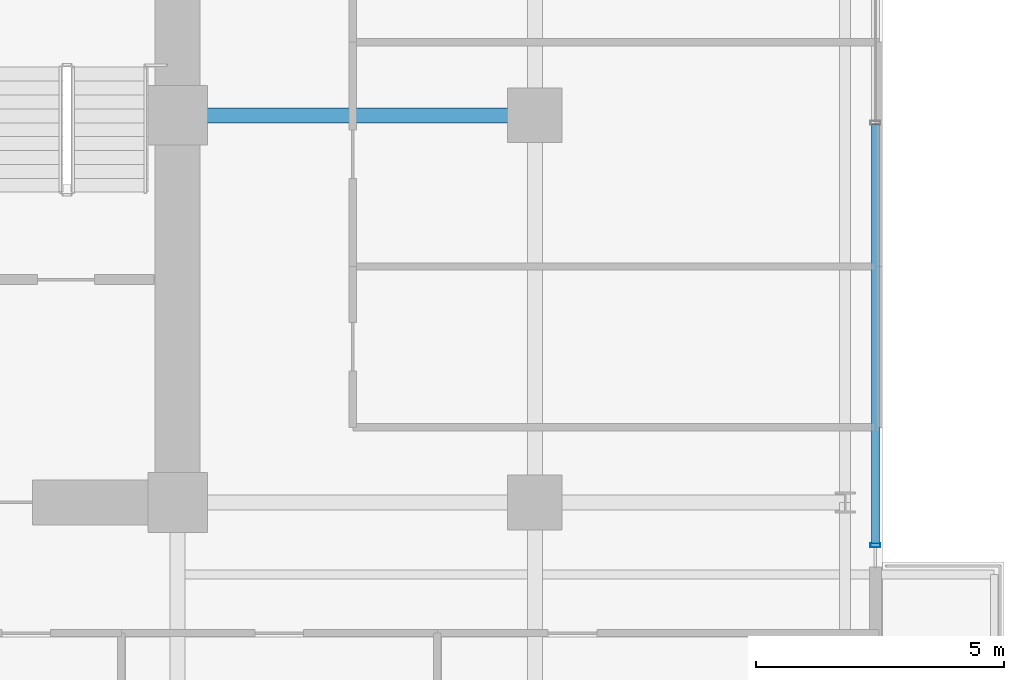
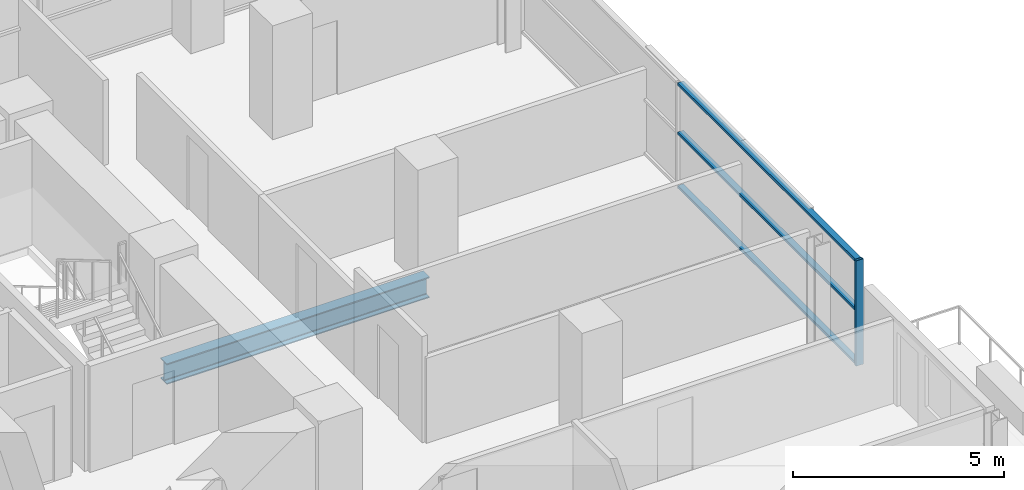
# One storey, part 14 of 30: 4 members, 1 beam, 1 element without a shape of its own.
"""IFC4 building model written with IfcOpenShell, lengths in metres."""

from ifc_helpers import new_model, si_unit, direction, frame, origin, origin_2d, place, context, subcontext, project, spatial, hollow_rectangle, i_section, extrude, source, transform, mapped, material, layer, layer_set, material_profile, profile_set, type_object, element, aggregate, save


model = new_model("IFC4")

# Units and contexts
model_context = context("Model", 3, precision=1e-05, world=origin(), true_north=direction((0.0, 1.0)))
body_context = subcontext(model_context, "Body", "Model", "MODEL_VIEW")
ifc_project = project(units=[si_unit("LENGTHUNIT", "METRE"), si_unit("AREAUNIT", "SQUARE_METRE"), si_unit("VOLUMEUNIT", "CUBIC_METRE"), si_unit("PLANEANGLEUNIT", "RADIAN"), si_unit("MASSUNIT", "GRAM", prefix="KILO")], contexts=[model_context])

# Site, building, storey
site_placement = place(None, origin())
site = spatial("IfcSite", under=ifc_project, at=site_placement, CompositionType="ELEMENT")
building_placement = place(site_placement, origin())
building = spatial("IfcBuilding", under=site, at=building_placement, Name="Zarnakvel Exchange Tower", CompositionType="ELEMENT")
storey_placement = place(building_placement, frame((0.0, 0.0, 50.5)))
storey = spatial("IfcBuildingStorey", under=building, at=storey_placement, Name="L13", CompositionType="ELEMENT", Elevation=50.5)

# Beam
ifc_material_1 = material(Name="Steel S355", Category="steel")
ifc_material_profile_1 = material_profile(ifc_material_1, i_section(OverallWidth=0.300048828125, OverallDepth=0.60009765625, WebThickness=0.015380859375, FlangeThickness=0.030029296875, FilletRadius=0.027099609375, at=origin_2d()))
ifc_profile_set_1 = profile_set([ifc_material_profile_1], Name="Steel S355")
beam_type = type_object("IfcBeamType", Name="G-04", PredefinedType="BEAM", material=ifc_profile_set_1)
beam_placement = place(storey_placement, frame((14.39990234375, 6.60009765625, -0.52490234375), z_axis=(1.0, 0.0, 0.0), x_axis=(0.0, 1.0, 0.0)))
element("IfcBeam", 1, at=beam_placement, inside=storey, type_object=beam_type, Name="L13 Tower E-W Frame Beam", PredefinedType="BEAM", context=body_context, shape_type="SweptSolid", body=[
    extrude(i_section(OverallWidth=0.300048828125, OverallDepth=0.60009765625, WebThickness=0.015380859375, FlangeThickness=0.030029296875, FilletRadius=0.027099609375, at=origin_2d()), origin(), (0.0, 0.0, 1.0), 7.2001953125),
])

# Curtain wall, members
ifc_material_2 = material(Name="Architectural Bronze Anodised Aluminium", Category="aluminium")
ifc_layer = layer(ifc_material_2, 0.199951171875)
ifc_layer_set = layer_set([ifc_layer], Name="Architectural Bronze Anodised Aluminium")
curtain_wall_type = type_object("IfcCurtainWallType", Name="CW-04", PredefinedType="NOTDEFINED", material=ifc_layer_set)
curtain_wall_placement = place(storey_placement, origin())
curtain_wall = element("IfcCurtainWall", 2, at=curtain_wall_placement, inside=storey, type_object=curtain_wall_type, Name="L13 Curtain Wall CW-L13-EN (CW-04)", PredefinedType="NOTDEFINED")
ifc_material_profile_2 = material_profile(ifc_material_2, hollow_rectangle(XDim=0.159912109375, YDim=0.074951171875, WallThickness=0.00390625, at=origin_2d()))
ifc_profile_set_2 = profile_set([ifc_material_profile_2], Name="Architectural Bronze Anodised Aluminium")
member_type_1 = type_object("IfcMemberType", Name="CWT-04", PredefinedType="USERDEFINED", material=ifc_profile_set_2)
shared_shape_1 = source(origin(), body_context, "Body", "SweptSolid", [
    extrude(hollow_rectangle(XDim=0.159912109375, YDim=0.074951171875, WallThickness=0.00390625, at=origin_2d()), origin(), (0.0, 0.0, 1.0), 8.4375),
])
member_1_placement = place(storey_placement, frame((28.4599609375, -2.02490234375, 0.03759765625), z_axis=(0.0, 1.0, 0.0), x_axis=(-1.0, 0.0, 0.0)))
member_1 = element("IfcMember", 3, at=member_1_placement, type_object=member_type_1, Name="CW-04 transom 1.1", ObjectType="TRANSOM", PredefinedType="USERDEFINED", context=body_context, shape_type="MappedRepresentation", body=[
    mapped(shared_shape_1, transform((0.0, 0.0, 0.0), x_axis=(1.0, 0.0, 0.0), y_axis=(0.0, 1.0, 0.0), z_axis=(0.0, 0.0, 1.0), scale=1.0)),
])
member_2_placement = place(storey_placement, frame((28.4599609375, -2.02490234375, 1.588623046875), z_axis=(0.0, 1.0, 0.0), x_axis=(-1.0, 0.0, 0.0)))
member_2 = element("IfcMember", 4, at=member_2_placement, type_object=member_type_1, Name="CW-04 transom 1.2", ObjectType="TRANSOM", PredefinedType="USERDEFINED", context=body_context, shape_type="MappedRepresentation", body=[
    mapped(shared_shape_1, transform((0.0, 0.0, 0.0), x_axis=(1.0, 0.0, 0.0), y_axis=(0.0, 1.0, 0.0), z_axis=(0.0, 0.0, 1.0), scale=1.0)),
])
member_3_placement = place(storey_placement, frame((28.4599609375, -2.02490234375, 3.017578125), z_axis=(0.0, 1.0, 0.0), x_axis=(-1.0, 0.0, 0.0)))
member_3 = element("IfcMember", 5, at=member_3_placement, type_object=member_type_1, Name="CW-04 transom 1.3", ObjectType="TRANSOM", PredefinedType="USERDEFINED", context=body_context, shape_type="MappedRepresentation", body=[
    mapped(shared_shape_1, transform((0.0, 0.0, 0.0), x_axis=(1.0, 0.0, 0.0), y_axis=(0.0, 1.0, 0.0), z_axis=(0.0, 0.0, 1.0), scale=1.0)),
])
ifc_material_profile_3 = material_profile(ifc_material_2, hollow_rectangle(XDim=0.199951171875, YDim=0.074951171875, WallThickness=0.0048828125, at=origin_2d()))
ifc_profile_set_3 = profile_set([ifc_material_profile_3], Name="Architectural Bronze Anodised Aluminium")
member_type_2 = type_object("IfcMemberType", Name="CWM-04", PredefinedType="MULLION", material=ifc_profile_set_3)
shared_shape_2 = source(origin(), body_context, "Body", "SweptSolid", [
    extrude(hollow_rectangle(XDim=0.199951171875, YDim=0.074951171875, WallThickness=0.0048828125, at=origin_2d()), origin(), (0.0, 0.0, 1.0), 3.054931640625),
])
member_4_placement = place(storey_placement, frame((28.4599609375, -2.0625, 0.0), z_axis=(0.0, 0.0, 1.0), x_axis=(-1.0, 0.0, 0.0)))
member_4 = element("IfcMember", 6, at=member_4_placement, type_object=member_type_2, Name="CW-04 mullion 1", PredefinedType="MULLION", context=body_context, shape_type="MappedRepresentation", body=[
    mapped(shared_shape_2, transform((0.0, 0.0, 0.0), x_axis=(1.0, 0.0, 0.0), y_axis=(0.0, 1.0, 0.0), z_axis=(0.0, 0.0, 1.0), scale=1.0)),
])
aggregate(curtain_wall, [member_4, member_1, member_2, member_3])

save(model, "model.ifc")
